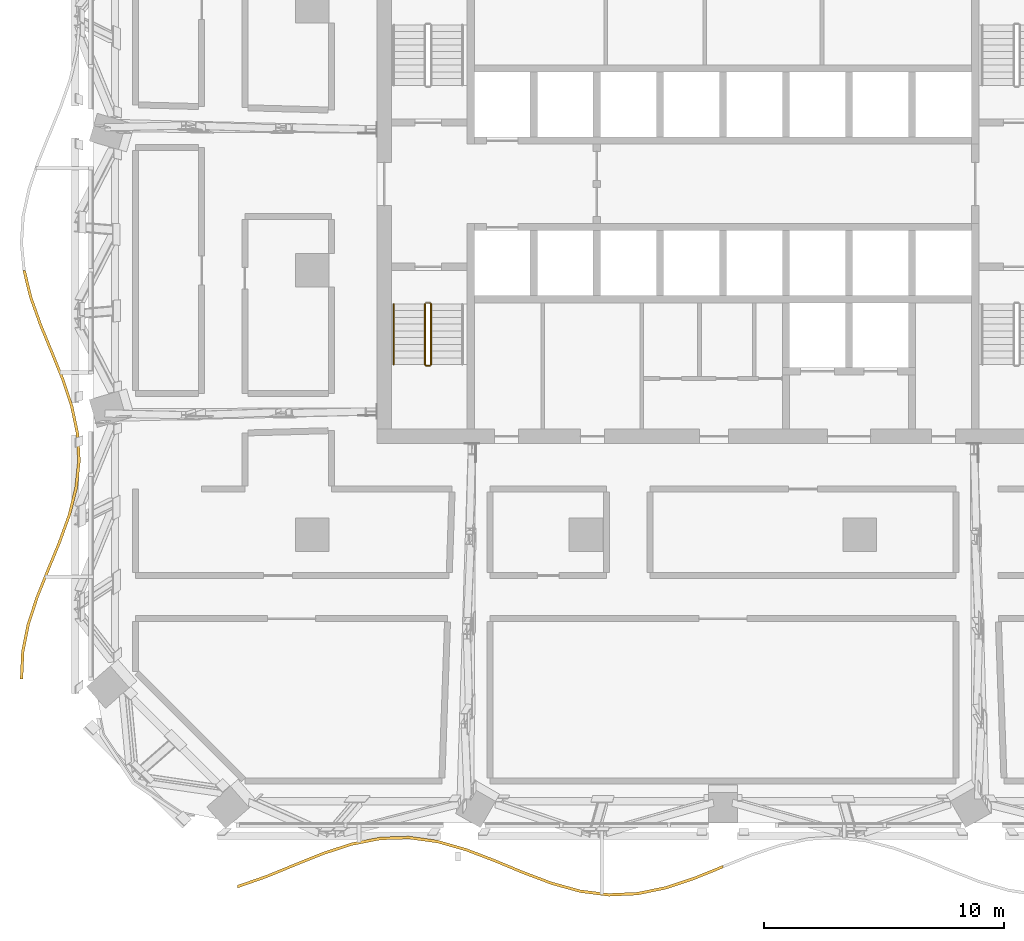
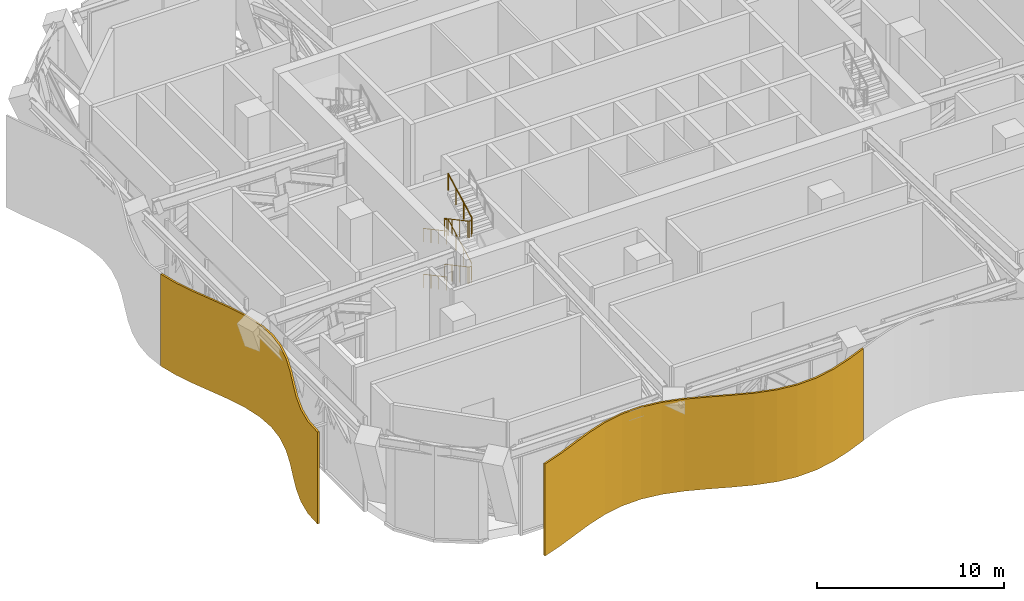
# One storey, part 20 of 26: 6 railings, 2 shading devices.
"""IFC4 building model written with IfcOpenShell, lengths in metres."""

from ifc_helpers import new_model, si_unit, direction, frame, origin, origin_2d, place, context, subcontext, project, spatial, polyline, circle, outline, extrude, material, layer, layer_set, type_object, element, save


model = new_model("IFC4")

# Units and contexts
model_context = context("Model", 3, precision=1e-05, world=origin(), true_north=direction((0.0, 1.0)))
body_context = subcontext(model_context, "Body", "Model", "MODEL_VIEW")
ifc_project = project(units=[si_unit("LENGTHUNIT", "METRE"), si_unit("AREAUNIT", "SQUARE_METRE"), si_unit("VOLUMEUNIT", "CUBIC_METRE"), si_unit("PLANEANGLEUNIT", "RADIAN"), si_unit("MASSUNIT", "GRAM", prefix="KILO")], contexts=[model_context])

# Site, building, storey
site_placement = place(None, origin())
site = spatial("IfcSite", under=ifc_project, at=site_placement, CompositionType="ELEMENT")
building_placement = place(site_placement, origin())
building = spatial("IfcBuilding", under=site, at=building_placement, Name="Mopane Tessera Tower", CompositionType="ELEMENT")
storey_placement = place(building_placement, frame((0.0, 0.0, 205.0)))
storey = spatial("IfcBuildingStorey", under=building, at=storey_placement, Name="L43", CompositionType="ELEMENT", Elevation=205.0)

# Railings
ifc_material_1 = material(Name="Powder-coated steel balustrade", Category="steel")
railing_type_1 = type_object("IfcRailingType", Name="Escape stair guard 1100 mm", PredefinedType="GUARDRAIL", material=ifc_material_1)
railing_1_placement = place(storey_placement, frame((-12.39990234375, -1.39990234375, 0.14990234375)))
element("IfcRailing", 1, at=railing_1_placement, inside=storey, type_object=railing_type_1, Name="L43 ST1 stair guard 1", PredefinedType="GUARDRAIL", context=body_context, shape_type="SweptSolid", body=[
    extrude(circle(Radius=0.02392578125, at=origin_2d()), frame((0.0, 0.0, 1.076171875), z_axis=(0.0, -0.881467274426, 0.472245110209), x_axis=(1.0, 0.0, 0.0)), (0.0, 0.0, 1.0), 2.85888671875),
    extrude(circle(Radius=0.02392578125, at=origin_2d()), frame((0.0, -2.52001953125, 2.42626953125), z_axis=(0.705375805398, -0.708833529934, 0.0), x_axis=(0.708833529934, 0.705375805398, 0.0)), (0.0, 0.0, 1.0), 0.070556640625),
    extrude(circle(Radius=0.02392578125, at=origin_2d()), frame((0.0498046875, -2.570068359375, 2.42626953125), z_axis=(1.0, 0.0, 0.0), x_axis=(0.0, 1.0, 0.0)), (0.0, 0.0, 1.0), 0.150146484375),
    extrude(circle(Radius=0.02099609375, at=origin_2d()), origin(), (0.0, 0.0, 1.0), 1.052001953125),
    extrude(circle(Radius=0.02099609375, at=origin_2d()), frame((0.0, -0.840087890625, 0.449951171875)), (0.0, 0.0, 1.0), 1.052001953125),
    extrude(circle(Radius=0.02099609375, at=origin_2d()), frame((0.0, -1.679931640625, 0.900146484375)), (0.0, 0.0, 1.0), 1.052001953125),
    extrude(circle(Radius=0.02099609375, at=origin_2d()), frame((0.0, -2.52001953125, 1.35009765625)), (0.0, 0.0, 1.0), 1.052001953125),
    extrude(circle(Radius=0.02099609375, at=origin_2d()), frame((0.0498046875, -2.570068359375, 1.35009765625)), (0.0, 0.0, 1.0), 1.052001953125),
    extrude(circle(Radius=0.02099609375, at=origin_2d()), frame((0.199951171875, -2.570068359375, 1.35009765625)), (0.0, 0.0, 1.0), 1.052001953125),
])
railing_2_placement = place(storey_placement, frame((-12.14990234375, -3.919921875, 1.64990234375)))
element("IfcRailing", 2, at=railing_2_placement, inside=storey, type_object=railing_type_1, Name="L43 ST1 stair guard 2", PredefinedType="GUARDRAIL", context=body_context, shape_type="SweptSolid", body=[
    extrude(circle(Radius=0.02392578125, at=origin_2d()), frame((0.0, 0.0, 1.076171875), z_axis=(0.0, 0.881467274426, 0.472245110209), x_axis=(-1.0, 0.0, 0.0)), (0.0, 0.0, 1.0), 2.85888671875),
    extrude(circle(Radius=0.02392578125, at=origin_2d()), frame((0.0, 2.52001953125, 2.42626953125), z_axis=(-0.708833529934, 0.705375805398, 0.0), x_axis=(-0.705375805398, -0.708833529934, 0.0)), (0.0, 0.0, 1.0), 0.070556640625),
    extrude(circle(Radius=0.02392578125, at=origin_2d()), frame((-0.050048828125, 2.56982421875, 2.42626953125), z_axis=(-1.0, 0.0, 0.0), x_axis=(0.0, -1.0, 0.0)), (0.0, 0.0, 1.0), 0.150146484375),
    extrude(circle(Radius=0.02099609375, at=origin_2d()), origin(), (0.0, 0.0, 1.0), 1.052001953125),
    extrude(circle(Radius=0.02099609375, at=origin_2d()), frame((0.0, 0.840087890625, 0.449951171875)), (0.0, 0.0, 1.0), 1.052001953125),
    extrude(circle(Radius=0.02099609375, at=origin_2d()), frame((0.0, 1.679931640625, 0.900146484375)), (0.0, 0.0, 1.0), 1.052001953125),
    extrude(circle(Radius=0.02099609375, at=origin_2d()), frame((0.0, 2.52001953125, 1.35009765625)), (0.0, 0.0, 1.0), 1.052001953125),
    extrude(circle(Radius=0.02099609375, at=origin_2d()), frame((-0.050048828125, 2.56982421875, 1.35009765625)), (0.0, 0.0, 1.0), 1.052001953125),
    extrude(circle(Radius=0.02099609375, at=origin_2d()), frame((-0.2001953125, 2.56982421875, 1.35009765625)), (0.0, 0.0, 1.0), 1.052001953125),
])
railing_3_placement = place(storey_placement, frame((-12.39990234375, -1.39990234375, 3.14990234375)))
element("IfcRailing", 3, at=railing_3_placement, inside=storey, type_object=railing_type_1, Name="L43 ST1 stair guard 3", PredefinedType="GUARDRAIL", context=body_context, shape_type="SweptSolid", body=[
    extrude(circle(Radius=0.02392578125, at=origin_2d()), frame((0.0, 0.0, 1.076171875), z_axis=(0.0, -0.881467274426, 0.472245110209), x_axis=(1.0, 0.0, 0.0)), (0.0, 0.0, 1.0), 2.85888671875),
    extrude(circle(Radius=0.02392578125, at=origin_2d()), frame((0.0, -2.52001953125, 2.42626953125), z_axis=(0.705375805398, -0.708833529934, 0.0), x_axis=(0.708833529934, 0.705375805398, 0.0)), (0.0, 0.0, 1.0), 0.070556640625),
    extrude(circle(Radius=0.02392578125, at=origin_2d()), frame((0.0498046875, -2.570068359375, 2.42626953125), z_axis=(1.0, 0.0, 0.0), x_axis=(0.0, 1.0, 0.0)), (0.0, 0.0, 1.0), 0.150146484375),
    extrude(circle(Radius=0.02099609375, at=origin_2d()), origin(), (0.0, 0.0, 1.0), 1.052001953125),
    extrude(circle(Radius=0.02099609375, at=origin_2d()), frame((0.0, -0.840087890625, 0.449951171875)), (0.0, 0.0, 1.0), 1.052001953125),
    extrude(circle(Radius=0.02099609375, at=origin_2d()), frame((0.0, -1.679931640625, 0.900146484375)), (0.0, 0.0, 1.0), 1.052001953125),
    extrude(circle(Radius=0.02099609375, at=origin_2d()), frame((0.0, -2.52001953125, 1.35009765625)), (0.0, 0.0, 1.0), 1.052001953125),
    extrude(circle(Radius=0.02099609375, at=origin_2d()), frame((0.0498046875, -2.570068359375, 1.35009765625)), (0.0, 0.0, 1.0), 1.052001953125),
    extrude(circle(Radius=0.02099609375, at=origin_2d()), frame((0.199951171875, -2.570068359375, 1.35009765625)), (0.0, 0.0, 1.0), 1.052001953125),
])
railing_4_placement = place(storey_placement, frame((-12.14990234375, -3.919921875, 4.64990234375)))
element("IfcRailing", 4, at=railing_4_placement, inside=storey, type_object=railing_type_1, Name="L43 ST1 stair guard 4", PredefinedType="GUARDRAIL", context=body_context, shape_type="SweptSolid", body=[
    extrude(circle(Radius=0.02392578125, at=origin_2d()), frame((0.0, 0.0, 1.076171875), z_axis=(0.0, 0.881467274426, 0.472245110209), x_axis=(-1.0, 0.0, 0.0)), (0.0, 0.0, 1.0), 2.85888671875),
    extrude(circle(Radius=0.02099609375, at=origin_2d()), origin(), (0.0, 0.0, 1.0), 1.052001953125),
    extrude(circle(Radius=0.02099609375, at=origin_2d()), frame((0.0, 0.840087890625, 0.449951171875)), (0.0, 0.0, 1.0), 1.052001953125),
    extrude(circle(Radius=0.02099609375, at=origin_2d()), frame((0.0, 1.679931640625, 0.900146484375)), (0.0, 0.0, 1.0), 1.052001953125),
    extrude(circle(Radius=0.02099609375, at=origin_2d()), frame((0.0, 2.52001953125, 1.35009765625)), (0.0, 0.0, 1.0), 1.052001953125),
])
ifc_material_2 = material(Name="Powder-coated steel balustrade", Category="steel")
railing_type_2 = type_object("IfcRailingType", Name="Escape stair handrail 900 mm", PredefinedType="HANDRAIL", material=ifc_material_2)
for number, where, name in (
    (5, (-13.699951171875, -1.39990234375, 0.14990234375), "L43 ST1 stair handrail 1"),
    (6, (-13.699951171875, -1.39990234375, 3.14990234375), "L43 ST1 stair handrail 3"),
):
    element("IfcRailing", number, at=place(storey_placement, frame(where)), inside=storey, type_object=railing_type_2, Name=name, PredefinedType="HANDRAIL", context=body_context, shape_type="SweptSolid", body=[
        extrude(circle(Radius=0.02392578125, at=origin_2d()), frame((0.0, 0.0, 0.8759765625), z_axis=(0.0, -0.881467274426, 0.472245110209), x_axis=(1.0, 0.0, 0.0)), (0.0, 0.0, 1.0), 2.85888671875),
        extrude(circle(Radius=0.02099609375, at=origin_2d()), origin(), (0.0, 0.0, 1.0), 0.851806640625),
        extrude(circle(Radius=0.02099609375, at=origin_2d()), frame((0.0, -0.840087890625, 0.449951171875)), (0.0, 0.0, 1.0), 0.851806640625),
        extrude(circle(Radius=0.02099609375, at=origin_2d()), frame((0.0, -1.679931640625, 0.900146484375)), (0.0, 0.0, 1.0), 0.851806640625),
        extrude(circle(Radius=0.02099609375, at=origin_2d()), frame((0.0, -2.52001953125, 1.35009765625)), (0.0, 0.0, 1.0), 0.851806640625),
    ])

# Shading devices
ifc_material_3 = material(Name="Anodised aluminium louvre blades", Category="aluminium")
ifc_layer = layer(ifc_material_3, 0.1201171875)
ifc_layer_set = layer_set([ifc_layer], Name="Anodised aluminium louvre blades")
shading_device_type = type_object("IfcShadingDeviceType", Name="Wave louvre screen", PredefinedType="JALOUSIE", material=ifc_layer_set)
shading_device_1_placement = place(storey_placement, frame((0.0, 0.0, -0.419921875)))
element("IfcShadingDevice", 7, at=shading_device_1_placement, inside=storey, type_object=shading_device_type, Name="e:lv:L43:S:0", PredefinedType="JALOUSIE", context=body_context, shape_type="SweptSolid", body=[
    extrude(outline(polyline([(-20.199951171875, -25.588623046875), (-19.01171875, -25.174560546875), (-17.823486328125, -24.68701171875), (-16.63525390625, -24.20849609375), (-15.447021484375, -23.820068359375), (-14.2587890625, -23.58740234375), (-13.070556640625, -23.550537109375), (-11.88232421875, -23.71533203125), (-10.694091796875, -24.0537109375), (-9.505859375, -24.508544921875), (-8.317626953125, -25.002685546875), (-7.12939453125, -25.452392578125), (-5.941162109375, -25.781005859375), (-4.7529296875, -25.933349609375), (-3.564697265625, -25.883056640625), (-2.37646484375, -25.63916015625), (-1.188232421875, -25.24267578125), (0.0, -24.760986328125), (0.0, -24.880859375), (-1.188232421875, -25.36279296875), (-2.37646484375, -25.759033203125), (-3.564697265625, -26.003173828125), (-4.7529296875, -26.05322265625), (-5.941162109375, -25.901123046875), (-7.12939453125, -25.572265625), (-8.317626953125, -25.122802734375), (-9.505859375, -24.628662109375), (-10.694091796875, -24.173828125), (-11.88232421875, -23.835205078125), (-13.070556640625, -23.67041015625), (-14.2587890625, -23.70751953125), (-15.447021484375, -23.93994140625), (-16.63525390625, -24.328369140625), (-17.823486328125, -24.80712890625), (-19.01171875, -25.294677734375), (-20.199951171875, -25.70849609375), (-20.199951171875, -25.588623046875)])), origin(), (0.0, 0.0, 1.0), 6.02001953125),
])
shading_device_2_placement = place(storey_placement, frame((0.0, 0.0, -0.419921875)))
element("IfcShadingDevice", 8, at=shading_device_2_placement, inside=storey, type_object=shading_device_type, Name="e:lv:L43:W:1", PredefinedType="JALOUSIE", context=body_context, shape_type="SweptSolid", body=[
    extrude(outline(polyline([(-29.027587890625, 0.0), (-28.748046875, -1.13330078125), (-28.34375, -2.2666015625), (-27.877197265625, -3.39990234375), (-27.420166015625, -4.533447265625), (-27.04345703125, -5.666748046875), (-26.805419921875, -6.800048828125), (-26.742431640625, -7.933349609375), (-26.864501953125, -9.066650390625), (-27.15283203125, -10.199951171875), (-27.5625, -11.333251953125), (-28.03076171875, -12.466552734375), (-28.48486328125, -13.60009765625), (-28.854736328125, -14.7333984375), (-29.08349609375, -15.86669921875), (-29.135498046875, -17.0), (-29.25537109375, -17.0), (-29.203369140625, -15.86669921875), (-28.974853515625, -14.7333984375), (-28.604736328125, -13.60009765625), (-28.150634765625, -12.466552734375), (-27.6826171875, -11.333251953125), (-27.272705078125, -10.199951171875), (-26.984619140625, -9.066650390625), (-26.862548828125, -7.933349609375), (-26.92529296875, -6.800048828125), (-27.16357421875, -5.666748046875), (-27.540283203125, -4.533447265625), (-27.997314453125, -3.39990234375), (-28.4638671875, -2.2666015625), (-28.8681640625, -1.13330078125), (-29.1474609375, 0.0), (-29.027587890625, 0.0)])), origin(), (0.0, 0.0, 1.0), 6.02001953125),
])

save(model, "model.ifc")
